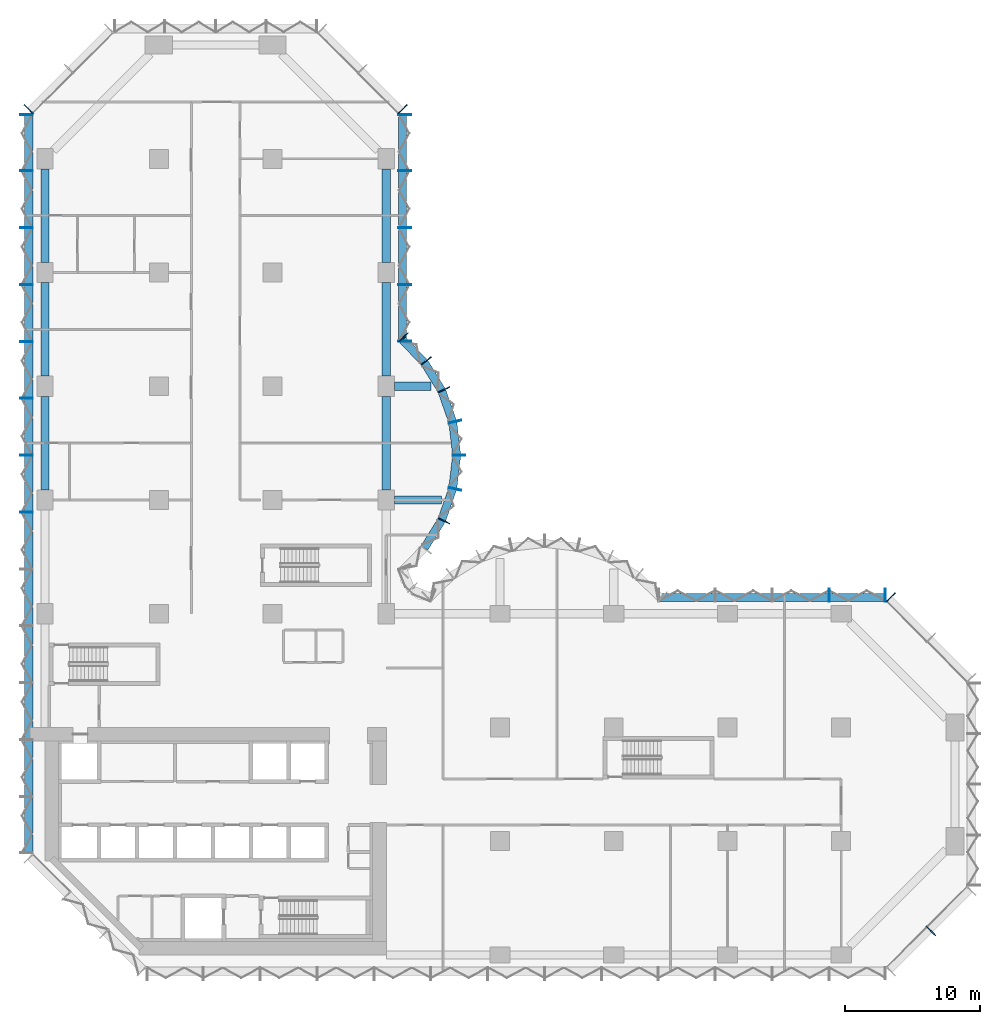
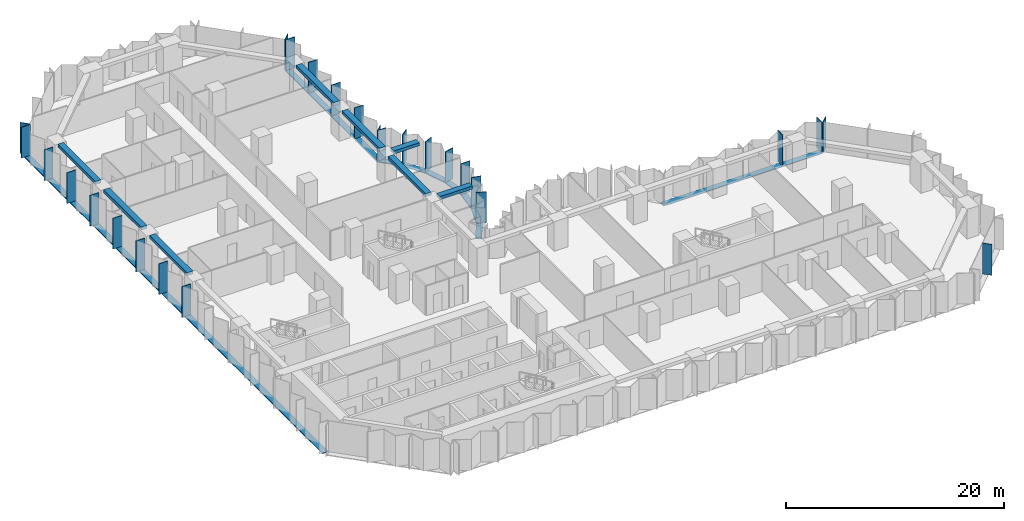
# One storey, part 3 of 15: 36 members, 8 beams, 8 elements without a shape of their own.
"""IFC4 building model written with IfcOpenShell, lengths in metres."""

from ifc_helpers import new_model, si_unit, direction, frame, origin, origin_2d, place, context, subcontext, project, spatial, rectangle, extrude, material, material_profile, profile_set, type_object, element, aggregate, save


model = new_model("IFC4")

# Units and contexts
model_context = context("Model", 3, precision=1e-05, world=origin(), true_north=direction((0.0, 1.0)))
body_context = subcontext(model_context, "Body", "Model", "MODEL_VIEW")
ifc_project = project(units=[si_unit("LENGTHUNIT", "METRE"), si_unit("AREAUNIT", "SQUARE_METRE"), si_unit("VOLUMEUNIT", "CUBIC_METRE"), si_unit("PLANEANGLEUNIT", "RADIAN"), si_unit("MASSUNIT", "GRAM", prefix="KILO")], contexts=[model_context])

# Site, building, storey
site_placement = place(None, origin())
site = spatial("IfcSite", under=ifc_project, at=site_placement, CompositionType="ELEMENT")
building_placement = place(site_placement, origin())
building = spatial("IfcBuilding", under=site, at=building_placement, Name="Brevane Broadcast Tower", CompositionType="ELEMENT")
storey_placement = place(building_placement, frame((0.0, 0.0, 83.300048828125)))
storey = spatial("IfcBuildingStorey", under=building, at=storey_placement, Name="L19", CompositionType="ELEMENT", Elevation=83.300048828125)

# Curtain wall, member
ifc_material_1 = material(Name="Aluminium 6063-T6 bronze anodised", Category="aluminium")
curtain_wall_type = type_object("IfcCurtainWallType", Name="CW-1 curtain wall", PredefinedType="NOTDEFINED", material=ifc_material_1)
curtain_wall_1_placement = place(storey_placement, origin())
curtain_wall_1 = element("IfcCurtainWall", 1, at=curtain_wall_1_placement, inside=storey, type_object=curtain_wall_type, Name="CW-1 typical tilted unit L19 south-east chamfer", PredefinedType="NOTDEFINED")
ifc_material_profile_1 = material_profile(ifc_material_1, rectangle(XDim=0.949951171875, YDim=0.070068359375, at=origin_2d()), Name="RECT 70x950")
ifc_profile_set_1 = profile_set([ifc_material_profile_1], Name="Aluminium 6063-T6 bronze anodised")
member_type_1 = type_object("IfcMemberType", Name="CW-1 mullion 70x950", PredefinedType="MULLION", material=ifc_profile_set_1)
member_1_placement = place(storey_placement, frame((65.435791015625, 1.76416015625, -0.150146484375), z_axis=(0.0, 0.0, 1.0), x_axis=(-0.707106781187, 0.707106781187, 0.0)))
member_1 = element("IfcMember", 2, at=member_1_placement, type_object=member_type_1, Name="CW-1 mullion", PredefinedType="MULLION", context=body_context, shape_type="SweptSolid", body=[
    extrude(rectangle(XDim=0.949951171875, YDim=0.070068359375, at=origin_2d()), origin(), (0.0, 0.0, 1.0), 3.4501953125),
])
aggregate(curtain_wall_1, [member_1])

curtain_wall_2_placement = place(storey_placement, origin())
curtain_wall_2 = element("IfcCurtainWall", 3, at=curtain_wall_2_placement, inside=storey, type_object=curtain_wall_type, Name="CW-1 typical tilted unit L19 north-east chamfer", PredefinedType="NOTDEFINED")
member_2_placement = place(storey_placement, frame((62.460693359375, 26.4111328125, -0.150146484375), z_axis=(0.0, 0.0, 1.0), x_axis=(-0.707106781187, -0.707106781187, 0.0)))
member_2 = element("IfcMember", 4, at=member_2_placement, type_object=member_type_1, Name="CW-1 mullion", PredefinedType="MULLION", context=body_context, shape_type="SweptSolid", body=[
    extrude(rectangle(XDim=0.949951171875, YDim=0.070068359375, at=origin_2d()), origin(), (0.0, 0.0, 1.0), 3.4501953125),
])
aggregate(curtain_wall_2, [member_2])

# Curtain wall, members
curtain_wall_3_placement = place(storey_placement, origin())
curtain_wall_3 = element("IfcCurtainWall", 5, at=curtain_wall_3_placement, inside=storey, type_object=curtain_wall_type, Name="CW-1 typical tilted unit L19 east arm north face", PredefinedType="NOTDEFINED")
member_3_placement = place(storey_placement, frame((62.06494140625, 26.574951171875, -0.150146484375), z_axis=(0.0, 0.0, 1.0), x_axis=(0.0, -1.0, 0.0)))
member_3 = element("IfcMember", 6, at=member_3_placement, type_object=member_type_1, Name="CW-1 mullion", PredefinedType="MULLION", context=body_context, shape_type="SweptSolid", body=[
    extrude(rectangle(XDim=0.949951171875, YDim=0.070068359375, at=origin_2d()), origin(), (0.0, 0.0, 1.0), 3.4501953125),
])
member_4_placement = place(storey_placement, frame((57.89990234375, 26.574951171875, -0.150146484375), z_axis=(0.0, 0.0, 1.0), x_axis=(0.0, -1.0, 0.0)))
member_4 = element("IfcMember", 7, at=member_4_placement, type_object=member_type_1, Name="CW-1 mullion", PredefinedType="MULLION", context=body_context, shape_type="SweptSolid", body=[
    extrude(rectangle(XDim=0.949951171875, YDim=0.070068359375, at=origin_2d()), origin(), (0.0, 0.0, 1.0), 3.4501953125),
])

curtain_wall_4_placement = place(storey_placement, origin())
curtain_wall_4 = element("IfcCurtainWall", 8, at=curtain_wall_4_placement, inside=storey, type_object=curtain_wall_type, Name="CW-1 typical tilted unit L19 north bow", PredefinedType="NOTDEFINED")
member_5_placement = place(storey_placement, frame((29.4580078125, 32.05322265625, -0.150146484375), z_axis=(0.0, 0.0, 1.0), x_axis=(-0.902860508933, 0.429933601163, 0.0)))
member_5 = element("IfcMember", 9, at=member_5_placement, type_object=member_type_1, Name="CW-1 mullion", PredefinedType="MULLION", context=body_context, shape_type="SweptSolid", body=[
    extrude(rectangle(XDim=0.949951171875, YDim=0.070068359375, at=origin_2d()), origin(), (0.0, 0.0, 1.0), 3.4501953125),
])
member_6_placement = place(storey_placement, frame((30.28076171875, 34.411865234375, -0.150146484375), z_axis=(0.0, 0.0, 1.0), x_axis=(-0.974403430594, 0.224806482215, 0.0)))
member_6 = element("IfcMember", 10, at=member_6_placement, type_object=member_type_1, Name="CW-1 mullion", PredefinedType="MULLION", context=body_context, shape_type="SweptSolid", body=[
    extrude(rectangle(XDim=0.949951171875, YDim=0.070068359375, at=origin_2d()), origin(), (0.0, 0.0, 1.0), 3.4501953125),
])
member_7_placement = place(storey_placement, frame((30.574951171875, 36.89990234375, -0.150146484375), z_axis=(0.0, 0.0, 1.0), x_axis=(-1.0, 0.0, 0.0)))
member_7 = element("IfcMember", 11, at=member_7_placement, type_object=member_type_1, Name="CW-1 mullion", PredefinedType="MULLION", context=body_context, shape_type="SweptSolid", body=[
    extrude(rectangle(XDim=0.949951171875, YDim=0.070068359375, at=origin_2d()), origin(), (0.0, 0.0, 1.0), 3.4501953125),
])
member_8_placement = place(storey_placement, frame((30.28076171875, 39.38818359375, -0.150146484375), z_axis=(0.0, 0.0, 1.0), x_axis=(-0.974403430594, -0.224806482215, 0.0)))
member_8 = element("IfcMember", 12, at=member_8_placement, type_object=member_type_1, Name="CW-1 mullion", PredefinedType="MULLION", context=body_context, shape_type="SweptSolid", body=[
    extrude(rectangle(XDim=0.949951171875, YDim=0.070068359375, at=origin_2d()), origin(), (0.0, 0.0, 1.0), 3.4501953125),
])
member_9_placement = place(storey_placement, frame((29.4580078125, 41.746826171875, -0.150146484375), z_axis=(0.0, 0.0, 1.0), x_axis=(-0.902860508933, -0.429933601163, 0.0)))
member_9 = element("IfcMember", 13, at=member_9_placement, type_object=member_type_1, Name="CW-1 mullion", PredefinedType="MULLION", context=body_context, shape_type="SweptSolid", body=[
    extrude(rectangle(XDim=0.949951171875, YDim=0.070068359375, at=origin_2d()), origin(), (0.0, 0.0, 1.0), 3.4501953125),
])
member_10_placement = place(storey_placement, frame((28.1455078125, 43.8720703125, -0.150146484375), z_axis=(0.0, 0.0, 1.0), x_axis=(-0.788706642853, -0.614769738617, 0.0)))
member_10 = element("IfcMember", 14, at=member_10_placement, type_object=member_type_1, Name="CW-1 mullion", PredefinedType="MULLION", context=body_context, shape_type="SweptSolid", body=[
    extrude(rectangle(XDim=0.949951171875, YDim=0.070068359375, at=origin_2d()), origin(), (0.0, 0.0, 1.0), 3.4501953125),
])
member_11_placement = place(storey_placement, frame((26.465087890625, 45.60595703125, -0.150146484375), z_axis=(0.0, 0.0, 1.0), x_axis=(-0.717253872699, -0.696811941702, 0.0)))
member_11 = element("IfcMember", 15, at=member_11_placement, type_object=member_type_1, Name="CW-1 mullion", PredefinedType="MULLION", context=body_context, shape_type="SweptSolid", body=[
    extrude(rectangle(XDim=0.949951171875, YDim=0.070068359375, at=origin_2d()), origin(), (0.0, 0.0, 1.0), 3.4501953125),
])

curtain_wall_5_placement = place(storey_placement, origin())
curtain_wall_5 = element("IfcCurtainWall", 16, at=curtain_wall_5_placement, inside=storey, type_object=curtain_wall_type, Name="CW-1 typical tilted unit L19 north arm east face", PredefinedType="NOTDEFINED")
member_12_placement = place(storey_placement, frame((26.574951171875, 45.3349609375, -0.150146484375), z_axis=(0.0, 0.0, 1.0), x_axis=(-1.0, 0.0, 0.0)))
member_12 = element("IfcMember", 17, at=member_12_placement, type_object=member_type_1, Name="CW-1 mullion", PredefinedType="MULLION", context=body_context, shape_type="SweptSolid", body=[
    extrude(rectangle(XDim=0.949951171875, YDim=0.070068359375, at=origin_2d()), origin(), (0.0, 0.0, 1.0), 3.4501953125),
])
member_13_placement = place(storey_placement, frame((26.574951171875, 49.5, -0.150146484375), z_axis=(0.0, 0.0, 1.0), x_axis=(-1.0, 0.0, 0.0)))
member_13 = element("IfcMember", 18, at=member_13_placement, type_object=member_type_1, Name="CW-1 mullion", PredefinedType="MULLION", context=body_context, shape_type="SweptSolid", body=[
    extrude(rectangle(XDim=0.949951171875, YDim=0.070068359375, at=origin_2d()), origin(), (0.0, 0.0, 1.0), 3.4501953125),
])
member_14_placement = place(storey_placement, frame((26.574951171875, 53.699951171875, -0.150146484375), z_axis=(0.0, 0.0, 1.0), x_axis=(-1.0, 0.0, 0.0)))
member_14 = element("IfcMember", 19, at=member_14_placement, type_object=member_type_1, Name="CW-1 mullion", PredefinedType="MULLION", context=body_context, shape_type="SweptSolid", body=[
    extrude(rectangle(XDim=0.949951171875, YDim=0.070068359375, at=origin_2d()), origin(), (0.0, 0.0, 1.0), 3.4501953125),
])
member_15_placement = place(storey_placement, frame((26.574951171875, 57.89990234375, -0.150146484375), z_axis=(0.0, 0.0, 1.0), x_axis=(-1.0, 0.0, 0.0)))
member_15 = element("IfcMember", 20, at=member_15_placement, type_object=member_type_1, Name="CW-1 mullion", PredefinedType="MULLION", context=body_context, shape_type="SweptSolid", body=[
    extrude(rectangle(XDim=0.949951171875, YDim=0.070068359375, at=origin_2d()), origin(), (0.0, 0.0, 1.0), 3.4501953125),
])
member_16_placement = place(storey_placement, frame((26.574951171875, 62.06494140625, -0.150146484375), z_axis=(0.0, 0.0, 1.0), x_axis=(-1.0, 0.0, 0.0)))
member_16 = element("IfcMember", 21, at=member_16_placement, type_object=member_type_1, Name="CW-1 mullion", PredefinedType="MULLION", context=body_context, shape_type="SweptSolid", body=[
    extrude(rectangle(XDim=0.949951171875, YDim=0.070068359375, at=origin_2d()), origin(), (0.0, 0.0, 1.0), 3.4501953125),
])

# Curtain wall, member
curtain_wall_6_placement = place(storey_placement, origin())
curtain_wall_6 = element("IfcCurtainWall", 22, at=curtain_wall_6_placement, inside=storey, type_object=curtain_wall_type, Name="CW-1 typical tilted unit L19 north arm north-east chamfer", PredefinedType="NOTDEFINED")
member_17_placement = place(storey_placement, frame((26.4111328125, 62.460693359375, -0.150146484375), z_axis=(0.0, 0.0, 1.0), x_axis=(-0.707106781187, -0.707106781187, 0.0)))
member_17 = element("IfcMember", 23, at=member_17_placement, type_object=member_type_1, Name="CW-1 mullion", PredefinedType="MULLION", context=body_context, shape_type="SweptSolid", body=[
    extrude(rectangle(XDim=0.949951171875, YDim=0.070068359375, at=origin_2d()), origin(), (0.0, 0.0, 1.0), 3.4501953125),
])
aggregate(curtain_wall_6, [member_17])

curtain_wall_7_placement = place(storey_placement, origin())
curtain_wall_7 = element("IfcCurtainWall", 24, at=curtain_wall_7_placement, inside=storey, type_object=curtain_wall_type, Name="CW-1 typical tilted unit L19 north-west chamfer", PredefinedType="NOTDEFINED")
member_18_placement = place(storey_placement, frame((-1.211181640625, 62.460693359375, -0.150146484375), z_axis=(0.0, 0.0, 1.0), x_axis=(0.707106781187, -0.707106781187, 0.0)))
member_18 = element("IfcMember", 25, at=member_18_placement, type_object=member_type_1, Name="CW-1 mullion", PredefinedType="MULLION", context=body_context, shape_type="SweptSolid", body=[
    extrude(rectangle(XDim=0.949951171875, YDim=0.070068359375, at=origin_2d()), origin(), (0.0, 0.0, 1.0), 3.4501953125),
])
aggregate(curtain_wall_7, [member_18])

# Curtain wall, members
curtain_wall_8_placement = place(storey_placement, origin())
curtain_wall_8 = element("IfcCurtainWall", 26, at=curtain_wall_8_placement, inside=storey, type_object=curtain_wall_type, Name="CW-1 typical tilted unit L19 west face", PredefinedType="NOTDEFINED")
member_19_placement = place(storey_placement, frame((-1.375, 62.06494140625, -0.150146484375), z_axis=(0.0, 0.0, 1.0), x_axis=(1.0, 0.0, 0.0)))
member_19 = element("IfcMember", 27, at=member_19_placement, type_object=member_type_1, Name="CW-1 mullion", PredefinedType="MULLION", context=body_context, shape_type="SweptSolid", body=[
    extrude(rectangle(XDim=0.949951171875, YDim=0.070068359375, at=origin_2d()), origin(), (0.0, 0.0, 1.0), 3.4501953125),
])
member_20_placement = place(storey_placement, frame((-1.375, 57.89990234375, -0.150146484375), z_axis=(0.0, 0.0, 1.0), x_axis=(1.0, 0.0, 0.0)))
member_20 = element("IfcMember", 28, at=member_20_placement, type_object=member_type_1, Name="CW-1 mullion", PredefinedType="MULLION", context=body_context, shape_type="SweptSolid", body=[
    extrude(rectangle(XDim=0.949951171875, YDim=0.070068359375, at=origin_2d()), origin(), (0.0, 0.0, 1.0), 3.4501953125),
])
member_21_placement = place(storey_placement, frame((-1.375, 53.699951171875, -0.150146484375), z_axis=(0.0, 0.0, 1.0), x_axis=(1.0, 0.0, 0.0)))
member_21 = element("IfcMember", 29, at=member_21_placement, type_object=member_type_1, Name="CW-1 mullion", PredefinedType="MULLION", context=body_context, shape_type="SweptSolid", body=[
    extrude(rectangle(XDim=0.949951171875, YDim=0.070068359375, at=origin_2d()), origin(), (0.0, 0.0, 1.0), 3.4501953125),
])
member_22_placement = place(storey_placement, frame((-1.375, 49.5, -0.150146484375), z_axis=(0.0, 0.0, 1.0), x_axis=(1.0, 0.0, 0.0)))
member_22 = element("IfcMember", 30, at=member_22_placement, type_object=member_type_1, Name="CW-1 mullion", PredefinedType="MULLION", context=body_context, shape_type="SweptSolid", body=[
    extrude(rectangle(XDim=0.949951171875, YDim=0.070068359375, at=origin_2d()), origin(), (0.0, 0.0, 1.0), 3.4501953125),
])
member_23_placement = place(storey_placement, frame((-1.375, 45.300048828125, -0.150146484375), z_axis=(0.0, 0.0, 1.0), x_axis=(1.0, 0.0, 0.0)))
member_23 = element("IfcMember", 31, at=member_23_placement, type_object=member_type_1, Name="CW-1 mullion", PredefinedType="MULLION", context=body_context, shape_type="SweptSolid", body=[
    extrude(rectangle(XDim=0.949951171875, YDim=0.070068359375, at=origin_2d()), origin(), (0.0, 0.0, 1.0), 3.4501953125),
])
member_24_placement = place(storey_placement, frame((-1.375, 41.10009765625, -0.150146484375), z_axis=(0.0, 0.0, 1.0), x_axis=(1.0, 0.0, 0.0)))
member_24 = element("IfcMember", 32, at=member_24_placement, type_object=member_type_1, Name="CW-1 mullion", PredefinedType="MULLION", context=body_context, shape_type="SweptSolid", body=[
    extrude(rectangle(XDim=0.949951171875, YDim=0.070068359375, at=origin_2d()), origin(), (0.0, 0.0, 1.0), 3.4501953125),
])
member_25_placement = place(storey_placement, frame((-1.375, 36.89990234375, -0.150146484375), z_axis=(0.0, 0.0, 1.0), x_axis=(1.0, 0.0, 0.0)))
member_25 = element("IfcMember", 33, at=member_25_placement, type_object=member_type_1, Name="CW-1 mullion", PredefinedType="MULLION", context=body_context, shape_type="SweptSolid", body=[
    extrude(rectangle(XDim=0.949951171875, YDim=0.070068359375, at=origin_2d()), origin(), (0.0, 0.0, 1.0), 3.4501953125),
])
member_26_placement = place(storey_placement, frame((-1.375, 32.699951171875, -0.150146484375), z_axis=(0.0, 0.0, 1.0), x_axis=(1.0, 0.0, 0.0)))
member_26 = element("IfcMember", 34, at=member_26_placement, type_object=member_type_1, Name="CW-1 mullion", PredefinedType="MULLION", context=body_context, shape_type="SweptSolid", body=[
    extrude(rectangle(XDim=0.949951171875, YDim=0.070068359375, at=origin_2d()), origin(), (0.0, 0.0, 1.0), 3.4501953125),
])

# Member
ifc_material_profile_2 = material_profile(ifc_material_1, rectangle(XDim=0.60009765625, YDim=0.10009765625, at=origin_2d()), Name="RECT 100x600")
ifc_profile_set_2 = profile_set([ifc_material_profile_2], Name="Aluminium 6063-T6 bronze anodised")
member_type_2 = type_object("IfcMemberType", Name="CW-1 transom 100x600", PredefinedType="USERDEFINED", material=ifc_profile_set_2)
member_27_placement = place(storey_placement, frame((62.10009765625, 26.39990234375, -0.199951171875), z_axis=(-1.0, 0.0, 0.0), x_axis=(0.0, -1.0, 0.0)))
member_27 = element("IfcMember", 35, at=member_27_placement, type_object=member_type_2, Name="CW-1 transom", ObjectType="TRANSOM", PredefinedType="USERDEFINED", context=body_context, shape_type="SweptSolid", body=[
    extrude(rectangle(XDim=0.60009765625, YDim=0.10009765625, at=origin_2d()), origin(), (0.0, 0.0, 1.0), 16.800048828125),
])

aggregate(curtain_wall_3, [member_3, member_4, member_27])

member_28_placement = place(storey_placement, frame((28.023193359375, 30.0576171875, -0.199951171875), z_axis=(0.525427766759, 0.850838211365, 0.0), x_axis=(-0.850838211365, 0.525427766759, 0.0)))
member_28 = element("IfcMember", 36, at=member_28_placement, type_object=member_type_2, Name="CW-1 transom", ObjectType="TRANSOM", PredefinedType="USERDEFINED", context=body_context, shape_type="SweptSolid", body=[
    extrude(rectangle(XDim=0.60009765625, YDim=0.10009765625, at=origin_2d()), origin(), (0.0, 0.0, 1.0), 2.394775390625),
])

member_29_placement = place(storey_placement, frame((29.314208984375, 32.163818359375, -0.199951171875), z_axis=(0.329378497041, 0.944197969542, 0.0), x_axis=(-0.944197969542, 0.329378497041, 0.0)))
member_29 = element("IfcMember", 37, at=member_29_placement, type_object=member_type_2, Name="CW-1 transom", ObjectType="TRANSOM", PredefinedType="USERDEFINED", context=body_context, shape_type="SweptSolid", body=[
    extrude(rectangle(XDim=0.60009765625, YDim=0.10009765625, at=origin_2d()), origin(), (0.0, 0.0, 1.0), 2.394775390625),
])

member_30_placement = place(storey_placement, frame((30.117431640625, 34.499755859375, -0.199951171875), z_axis=(0.117603307202, 0.993060653805, 0.0), x_axis=(-0.993060653805, 0.117603307202, 0.0)))
member_30 = element("IfcMember", 38, at=member_30_placement, type_object=member_type_2, Name="CW-1 transom", ObjectType="TRANSOM", PredefinedType="USERDEFINED", context=body_context, shape_type="SweptSolid", body=[
    extrude(rectangle(XDim=0.60009765625, YDim=0.10009765625, at=origin_2d()), origin(), (0.0, 0.0, 1.0), 2.397705078125),
])

member_31_placement = place(storey_placement, frame((30.3994140625, 36.9189453125, -0.199951171875), z_axis=(-0.117591417, 0.993062061831, 0.0), x_axis=(-0.993062061831, -0.117591417, 0.0)))
member_31 = element("IfcMember", 39, at=member_31_placement, type_object=member_type_2, Name="CW-1 transom", ObjectType="TRANSOM", PredefinedType="USERDEFINED", context=body_context, shape_type="SweptSolid", body=[
    extrude(rectangle(XDim=0.60009765625, YDim=0.10009765625, at=origin_2d()), origin(), (0.0, 0.0, 1.0), 2.39794921875),
])

member_32_placement = place(storey_placement, frame((30.10302734375, 39.375, -0.199951171875), z_axis=(-0.329378497041, 0.944197969542, 0.0), x_axis=(-0.944197969542, -0.329378497041, 0.0)))
member_32 = element("IfcMember", 40, at=member_32_placement, type_object=member_type_2, Name="CW-1 transom", ObjectType="TRANSOM", PredefinedType="USERDEFINED", context=body_context, shape_type="SweptSolid", body=[
    extrude(rectangle(XDim=0.60009765625, YDim=0.10009765625, at=origin_2d()), origin(), (0.0, 0.0, 1.0), 2.394775390625),
])

member_33_placement = place(storey_placement, frame((29.281494140625, 41.704833984375, -0.199951171875), z_axis=(-0.525473345162, 0.850810063131, 0.0), x_axis=(-0.850810063131, -0.525473345162, 0.0)))
member_33 = element("IfcMember", 41, at=member_33_placement, type_object=member_type_2, Name="CW-1 transom", ObjectType="TRANSOM", PredefinedType="USERDEFINED", context=body_context, shape_type="SweptSolid", body=[
    extrude(rectangle(XDim=0.60009765625, YDim=0.10009765625, at=origin_2d()), origin(), (0.0, 0.0, 1.0), 2.39453125),
])

member_34_placement = place(storey_placement, frame((27.974365234375, 43.800537109375, -0.199951171875), z_axis=(-0.696823999134, 0.71724215871, 0.0), x_axis=(-0.71724215871, -0.696823999134, 0.0)))
member_34 = element("IfcMember", 42, at=member_34_placement, type_object=member_type_2, Name="CW-1 transom", ObjectType="TRANSOM", PredefinedType="USERDEFINED", context=body_context, shape_type="SweptSolid", body=[
    extrude(rectangle(XDim=0.60009765625, YDim=0.10009765625, at=origin_2d()), origin(), (0.0, 0.0, 1.0), 2.247802734375),
])

aggregate(curtain_wall_4, [member_5, member_6, member_7, member_8, member_9, member_10, member_11, member_28, member_29, member_30, member_31, member_32, member_33, member_34])

member_35_placement = place(storey_placement, frame((26.39990234375, 45.300048828125, -0.199951171875), z_axis=(0.0, 1.0, 0.0), x_axis=(-1.0, 0.0, 0.0)))
member_35 = element("IfcMember", 43, at=member_35_placement, type_object=member_type_2, Name="CW-1 transom", ObjectType="TRANSOM", PredefinedType="USERDEFINED", context=body_context, shape_type="SweptSolid", body=[
    extrude(rectangle(XDim=0.60009765625, YDim=0.10009765625, at=origin_2d()), origin(), (0.0, 0.0, 1.0), 16.800048828125),
])

aggregate(curtain_wall_5, [member_12, member_13, member_14, member_15, member_16, member_35])

member_36_placement = place(storey_placement, frame((-1.199951171875, 62.10009765625, -0.199951171875), z_axis=(0.0, -1.0, 0.0), x_axis=(1.0, 0.0, 0.0)))
member_36 = element("IfcMember", 44, at=member_36_placement, type_object=member_type_2, Name="CW-1 transom", ObjectType="TRANSOM", PredefinedType="USERDEFINED", context=body_context, shape_type="SweptSolid", body=[
    extrude(rectangle(XDim=0.60009765625, YDim=0.10009765625, at=origin_2d()), origin(), (0.0, 0.0, 1.0), 54.60009765625),
])

aggregate(curtain_wall_8, [member_19, member_20, member_21, member_22, member_23, member_24, member_25, member_26, member_36])

# Beams
ifc_material_2 = material(Name="Concrete C40/50", Category="concrete")
ifc_material_profile_3 = material_profile(ifc_material_2, rectangle(XDim=0.60009765625, YDim=0.35009765625, at=origin_2d()), Name="RC 600x350")
ifc_profile_set_3 = profile_set([ifc_material_profile_3], Name="Concrete C40/50")
beam_type_1 = type_object("IfcBeamType", Name="RC BRACKET BEAM 600x350 C40/50", PredefinedType="BEAM", material=ifc_profile_set_3)
beam_1_placement = place(storey_placement, frame((25.800048828125, 33.60009765625, 3.125), z_axis=(1.0, 0.0, 0.0), x_axis=(0.0, 1.0, 0.0)))
element("IfcBeam", 45, at=beam_1_placement, inside=storey, type_object=beam_type_1, Name="EB2 L19-1", PredefinedType="BEAM", context=body_context, shape_type="SweptSolid", body=[
    extrude(rectangle(XDim=0.60009765625, YDim=0.35009765625, at=origin_2d()), origin(), (0.0, 0.0, 1.0), 3.4619140625),
])
beam_2_placement = place(storey_placement, frame((25.800048828125, 42.0, 3.125), z_axis=(1.0, 0.0, 0.0), x_axis=(0.0, 1.0, 0.0)))
element("IfcBeam", 46, at=beam_2_placement, inside=storey, type_object=beam_type_1, Name="EB2 L19-2", PredefinedType="BEAM", context=body_context, shape_type="SweptSolid", body=[
    extrude(rectangle(XDim=0.60009765625, YDim=0.35009765625, at=origin_2d()), origin(), (0.0, 0.0, 1.0), 2.71142578125),
])
ifc_material_profile_4 = material_profile(ifc_material_2, rectangle(XDim=0.60009765625, YDim=0.35009765625, at=origin_2d()), Name="RC 600x350")
ifc_profile_set_4 = profile_set([ifc_material_profile_4], Name="Concrete C40/50")
beam_type_2 = type_object("IfcBeamType", Name="RC SPANDREL BEAM 600x350 C40/50", PredefinedType="SPANDREL", material=ifc_profile_set_4)
for number, where, z_axis, x_axis, name in (
    (47, (25.199951171875, 34.35009765625, 3.125), (0.0, 1.0, 0.0), (-1.0, 0.0, 0.0), "EB1 L19-13"),
    (48, (25.199951171875, 42.75, 3.125), (0.0, 1.0, 0.0), (-1.0, 0.0, 0.0), "EB1 L19-14"),
):
    element("IfcBeam", number, at=place(storey_placement, frame(where, z_axis=z_axis, x_axis=x_axis)), inside=storey, type_object=beam_type_2, Name=name, PredefinedType="SPANDREL", context=body_context, shape_type="SweptSolid", body=[
        extrude(rectangle(XDim=0.60009765625, YDim=0.35009765625, at=origin_2d()), origin(), (0.0, 0.0, 1.0), 6.89990234375),
    ])
for number, where, z_axis, x_axis, name in (
    (49, (25.199951171875, 51.14990234375, 3.125), (0.0, 1.0, 0.0), (-1.0, 0.0, 0.0), "EB1 L19-15"),
    (50, (0.0, 58.050048828125, 3.125), (0.0, -1.0, 0.0), (1.0, 0.0, 0.0), "EB1 L19-19"),
):
    element("IfcBeam", number, at=place(storey_placement, frame(where, z_axis=z_axis, x_axis=x_axis)), inside=storey, type_object=beam_type_2, Name=name, PredefinedType="SPANDREL", context=body_context, shape_type="SweptSolid", body=[
        extrude(rectangle(XDim=0.60009765625, YDim=0.35009765625, at=origin_2d()), origin(), (0.0, 0.0, 1.0), 6.900146484375),
    ])
for number, where, z_axis, x_axis, name in (
    (51, (0.0, 49.64990234375, 3.125), (0.0, -1.0, 0.0), (1.0, 0.0, 0.0), "EB1 L19-20"),
    (52, (0.0, 41.25, 3.125), (0.0, -1.0, 0.0), (1.0, 0.0, 0.0), "EB1 L19-21"),
):
    element("IfcBeam", number, at=place(storey_placement, frame(where, z_axis=z_axis, x_axis=x_axis)), inside=storey, type_object=beam_type_2, Name=name, PredefinedType="SPANDREL", context=body_context, shape_type="SweptSolid", body=[
        extrude(rectangle(XDim=0.60009765625, YDim=0.35009765625, at=origin_2d()), origin(), (0.0, 0.0, 1.0), 6.89990234375),
    ])

save(model, "model.ifc")
